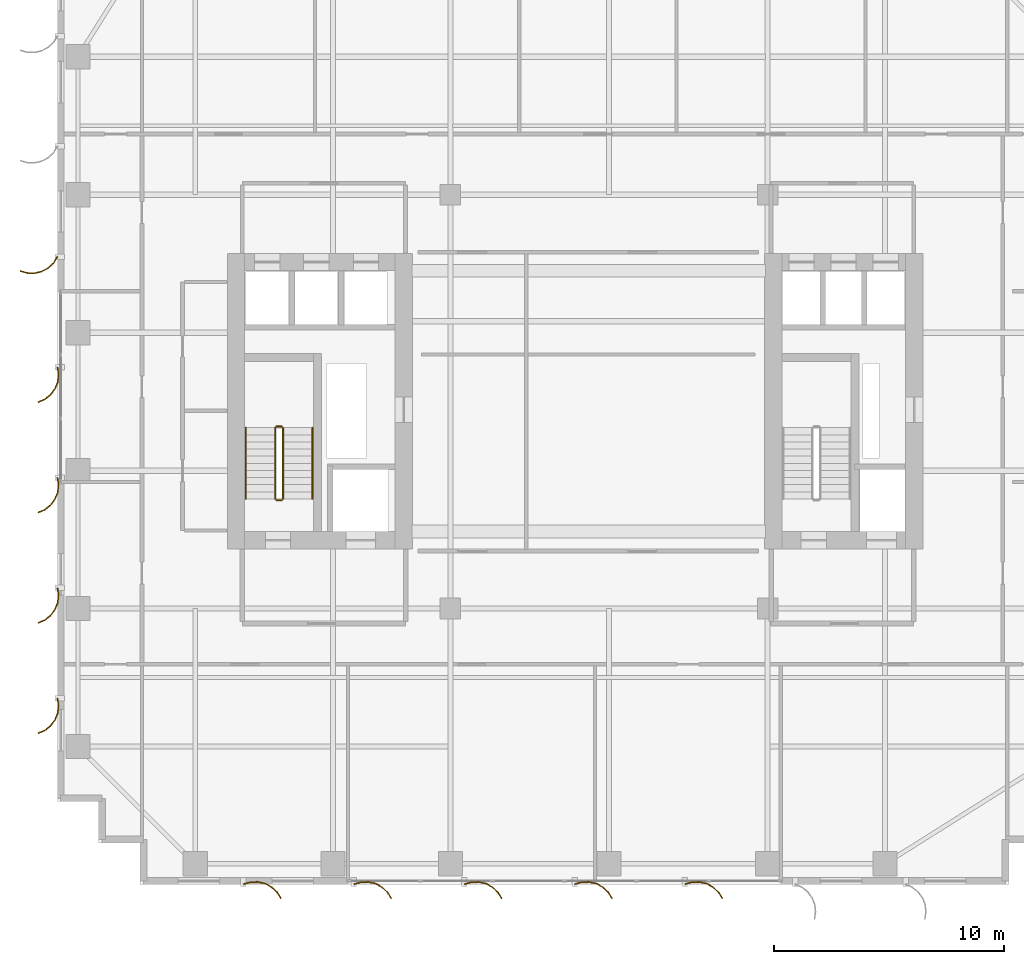
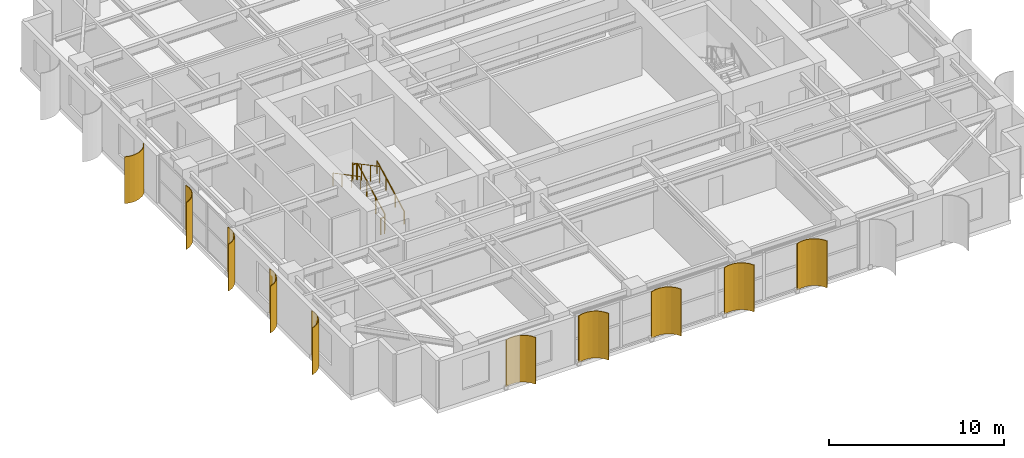
# One storey, part 20 of 22: 10 shading devices, 6 railings.
"""IFC4 building model written with IfcOpenShell, lengths in metres."""

from ifc_helpers import new_model, si_unit, direction, frame, origin, origin_2d, place, context, subcontext, project, spatial, polyline, circle, outline, extrude, source, transform, mapped, material, layer, layer_set, type_object, element, save


model = new_model("IFC4")

# Units and contexts
model_context = context("Model", 3, precision=1e-05, world=origin(), true_north=direction((0.0, 1.0)))
body_context = subcontext(model_context, "Body", "Model", "MODEL_VIEW")
ifc_project = project(units=[si_unit("LENGTHUNIT", "METRE"), si_unit("AREAUNIT", "SQUARE_METRE"), si_unit("VOLUMEUNIT", "CUBIC_METRE"), si_unit("PLANEANGLEUNIT", "RADIAN"), si_unit("MASSUNIT", "GRAM", prefix="KILO")], contexts=[model_context])

# Site, building, storey
site_placement = place(None, origin())
site = spatial("IfcSite", under=ifc_project, at=site_placement, CompositionType="ELEMENT")
building_placement = place(site_placement, origin())
building = spatial("IfcBuilding", under=site, at=building_placement, Name="Khoralis Quay Care Tower", CompositionType="ELEMENT")
storey_placement = place(building_placement, frame((0.0, 0.0, 141.300048828125)))
storey = spatial("IfcBuildingStorey", under=building, at=storey_placement, Name="L37", CompositionType="ELEMENT", Elevation=141.300048828125)

# Railings
ifc_material_1 = material(Name="Brushed stainless steel", Category="steel")
railing_type_1 = type_object("IfcRailingType", Name="RL-GUARD-1150", PredefinedType="GUARDRAIL", material=ifc_material_1)
railing_1_placement = place(storey_placement, frame((9.820068359375, 16.77001953125, 0.16357421875)))
element("IfcRailing", 1, at=railing_1_placement, inside=storey, type_object=railing_type_1, Name="L37 ST-T1 stair guard 1", PredefinedType="GUARDRAIL", context=body_context, shape_type="SweptSolid", body=[
    extrude(circle(Radius=0.02392578125, at=origin_2d()), frame((0.0, 0.0, 1.1259765625), z_axis=(0.0, 0.884348015382, 0.466828220752), x_axis=(-1.0, 0.0, 0.0)), (0.0, 0.0, 1.0), 3.505615234375),
    extrude(circle(Radius=0.02099609375, at=origin_2d()), origin(), (0.0, 0.0, 1.0), 1.101806640625),
    extrude(circle(Radius=0.02099609375, at=origin_2d()), frame((0.0, 1.033447265625, 0.54541015625)), (0.0, 0.0, 1.0), 1.101806640625),
    extrude(circle(Radius=0.02099609375, at=origin_2d()), frame((0.0, 2.066650390625, 1.091064453125)), (0.0, 0.0, 1.0), 1.101806640625),
    extrude(circle(Radius=0.02099609375, at=origin_2d()), frame((0.0, 3.10009765625, 1.636474609375)), (0.0, 0.0, 1.0), 1.101806640625),
])
railing_2_placement = place(storey_placement, frame((9.77001953125, 19.919921875, 1.800048828125)))
element("IfcRailing", 2, at=railing_2_placement, inside=storey, type_object=railing_type_1, Name="L37 ST-T1 stair guard 2", PredefinedType="GUARDRAIL", context=body_context, shape_type="SweptSolid", body=[
    extrude(circle(Radius=0.02392578125, at=origin_2d()), frame((0.0, 0.0, 1.1259765625), z_axis=(-1.0, 0.0, 0.0), x_axis=(0.0, -1.0, 0.0)), (0.0, 0.0, 1.0), 0.239990234375),
    extrude(circle(Radius=0.02099609375, at=origin_2d()), origin(), (0.0, 0.0, 1.0), 1.101806640625),
    extrude(circle(Radius=0.02099609375, at=origin_2d()), frame((-0.239990234375, 0.0, 0.0)), (0.0, 0.0, 1.0), 1.101806640625),
])
railing_3_placement = place(storey_placement, frame((9.47998046875, 19.8701171875, 1.963623046875)))
element("IfcRailing", 3, at=railing_3_placement, inside=storey, type_object=railing_type_1, Name="L37 ST-T1 stair guard 3", PredefinedType="GUARDRAIL", context=body_context, shape_type="SweptSolid", body=[
    extrude(circle(Radius=0.02392578125, at=origin_2d()), frame((0.0, 0.0, 1.1259765625), z_axis=(0.0, -0.884376766648, 0.46677375099), x_axis=(1.0, 0.0, 0.0)), (0.0, 0.0, 1.0), 3.50537109375),
    extrude(circle(Radius=0.02099609375, at=origin_2d()), origin(), (0.0, 0.0, 1.0), 1.101806640625),
    extrude(circle(Radius=0.02099609375, at=origin_2d()), frame((0.0, -1.033447265625, 0.54541015625)), (0.0, 0.0, 1.0), 1.101806640625),
    extrude(circle(Radius=0.02099609375, at=origin_2d()), frame((0.0, -2.066650390625, 1.0908203125)), (0.0, 0.0, 1.0), 1.101806640625),
    extrude(circle(Radius=0.02099609375, at=origin_2d()), frame((0.0, -3.10009765625, 1.63623046875)), (0.0, 0.0, 1.0), 1.101806640625),
])
railing_4_placement = place(storey_placement, frame((9.77001953125, 16.719970703125, 0.0)))
element("IfcRailing", 4, at=railing_4_placement, inside=storey, type_object=railing_type_1, Name="L37 ST-T1 stair guard 4", PredefinedType="GUARDRAIL", context=body_context, shape_type="SweptSolid", body=[
    extrude(circle(Radius=0.02392578125, at=origin_2d()), frame((0.0, 0.0, 1.1259765625), z_axis=(-1.0, 0.0, 0.0), x_axis=(0.0, -1.0, 0.0)), (0.0, 0.0, 1.0), 0.239990234375),
    extrude(circle(Radius=0.02099609375, at=origin_2d()), origin(), (0.0, 0.0, 1.0), 1.101806640625),
    extrude(circle(Radius=0.02099609375, at=origin_2d()), frame((-0.239990234375, 0.0, 0.0)), (0.0, 0.0, 1.0), 1.101806640625),
])
railing_type_2 = type_object("IfcRailingType", Name="RL-HAND-900", PredefinedType="HANDRAIL", material=ifc_material_1)
railing_5_placement = place(storey_placement, frame((11.10009765625, 16.77001953125, 0.16357421875)))
element("IfcRailing", 5, at=railing_5_placement, inside=storey, type_object=railing_type_2, Name="L37 ST-T1 stair handrail 1", PredefinedType="HANDRAIL", context=body_context, shape_type="SweptSolid", body=[
    extrude(circle(Radius=0.02392578125, at=origin_2d()), frame((0.0, 0.0, 0.8759765625), z_axis=(0.0, 0.884348015382, 0.466828220752), x_axis=(-1.0, 0.0, 0.0)), (0.0, 0.0, 1.0), 3.505615234375),
    extrude(circle(Radius=0.02099609375, at=origin_2d()), origin(), (0.0, 0.0, 1.0), 0.851806640625),
    extrude(circle(Radius=0.02099609375, at=origin_2d()), frame((0.0, 1.033447265625, 0.54541015625)), (0.0, 0.0, 1.0), 0.851806640625),
    extrude(circle(Radius=0.02099609375, at=origin_2d()), frame((0.0, 2.066650390625, 1.091064453125)), (0.0, 0.0, 1.0), 0.851806640625),
    extrude(circle(Radius=0.02099609375, at=origin_2d()), frame((0.0, 3.10009765625, 1.636474609375)), (0.0, 0.0, 1.0), 0.851806640625),
])
railing_6_placement = place(storey_placement, frame((8.199951171875, 19.8701171875, 1.963623046875)))
element("IfcRailing", 6, at=railing_6_placement, inside=storey, type_object=railing_type_2, Name="L37 ST-T1 stair handrail 2", PredefinedType="HANDRAIL", context=body_context, shape_type="SweptSolid", body=[
    extrude(circle(Radius=0.02392578125, at=origin_2d()), frame((0.0, 0.0, 0.8759765625), z_axis=(0.0, -0.884376766648, 0.46677375099), x_axis=(1.0, 0.0, 0.0)), (0.0, 0.0, 1.0), 3.50537109375),
    extrude(circle(Radius=0.02099609375, at=origin_2d()), origin(), (0.0, 0.0, 1.0), 0.851806640625),
    extrude(circle(Radius=0.02099609375, at=origin_2d()), frame((0.0, -1.033447265625, 0.54541015625)), (0.0, 0.0, 1.0), 0.851806640625),
    extrude(circle(Radius=0.02099609375, at=origin_2d()), frame((0.0, -2.066650390625, 1.0908203125)), (0.0, 0.0, 1.0), 0.851806640625),
    extrude(circle(Radius=0.02099609375, at=origin_2d()), frame((0.0, -3.10009765625, 1.63623046875)), (0.0, 0.0, 1.0), 0.851806640625),
])

# Shading devices
ifc_material_2 = material(Name="Brushed pale anodised aluminium", Category="aluminium")
ifc_layer = layer(ifc_material_2, 0.044921875)
ifc_layer_set = layer_set([ifc_layer], Name="Brushed pale anodised aluminium")
shading_device_type = type_object("IfcShadingDeviceType", Name="SHD-FIN-1250", PredefinedType="USERDEFINED", material=ifc_layer_set)
shared_shape_1 = source(origin(), body_context, "Body", "SweptSolid", [
    extrude(outline(polyline([(0.0, 0.0), (0.17041015625, 0.2783203125), (0.4072265625, 0.5029296875), (0.694091796875, 0.658447265625), (1.01123046875, 0.734619140625), (1.33740234375, 0.72607421875), (1.650390625, 0.633544921875), (1.632080078125, 0.59228515625), (1.330322265625, 0.681640625), (1.015869140625, 0.68994140625), (0.710205078125, 0.616455078125), (0.43359375, 0.466552734375), (0.20556640625, 0.25), (0.041015625, -0.018310546875), (0.0, 0.0)])), origin(), (0.0, 0.0, 1.0), 3.260009765625),
])
shading_device_placement = place(storey_placement, frame((0.030029296875, 27.300048828125, 0.02001953125), z_axis=(0.0, 0.0, 1.0), x_axis=(-1.0, 0.0, 0.0)))
element("IfcShadingDevice", 7, at=shading_device_placement, inside=storey, type_object=shading_device_type, Name="L37 Curved Solar Fin P1E15-03", ObjectType="FIN", PredefinedType="USERDEFINED", context=body_context, shape_type="MappedRepresentation", body=[
    mapped(shared_shape_1, transform((0.0, 0.0, 0.0), scale=1.0)),
])
shared_shape_2 = source(origin(), body_context, "Body", "SweptSolid", [
    extrude(outline(polyline([(0.0, 0.0), (-0.04833984375, 0.32275390625), (-0.01123046875, 0.64697265625), (0.1083984375, 0.950439453125), (0.302490234375, 1.212890625), (0.557861328125, 1.416015625), (0.85693359375, 1.546142578125), (0.869384765625, 1.5029296875), (0.5810546875, 1.37744140625), (0.334716796875, 1.181640625), (0.147705078125, 0.9287109375), (0.032470703125, 0.635986328125), (-0.003173828125, 0.323486328125), (0.043212890625, 0.012451171875), (0.0, 0.0)])), origin(), (0.0, 0.0, 1.0), 3.260009765625),
])
for number, where, z_axis, x_axis, name in (
    (8, (0.030029296875, 22.5, 0.02001953125), (0.0, 0.0, 1.0), (-1.0, 0.0, 0.0), "L37 Curved Solar Fin P1E15-04"),
    (9, (0.030029296875, 17.699951171875, 0.02001953125), (0.0, 0.0, 1.0), (-1.0, 0.0, 0.0), "L37 Curved Solar Fin P1E15-05"),
    (10, (0.030029296875, 12.89990234375, 0.02001953125), (0.0, 0.0, 1.0), (-1.0, 0.0, 0.0), "L37 Curved Solar Fin P1E15-06"),
    (11, (0.030029296875, 8.10009765625, 0.02001953125), (0.0, 0.0, 1.0), (-1.0, 0.0, 0.0), "L37 Curved Solar Fin P1E15-07"),
):
    element("IfcShadingDevice", number, at=place(storey_placement, frame(where, z_axis=z_axis, x_axis=x_axis)), inside=storey, type_object=shading_device_type, Name=name, ObjectType="FIN", PredefinedType="USERDEFINED", context=body_context, shape_type="MappedRepresentation", body=[
        mapped(shared_shape_2, transform((0.0, 0.0, 0.0), scale=1.0)),
    ])
shared_shape_3 = source(origin(), body_context, "Body", "SweptSolid", [
    extrude(outline(polyline([(0.0, 0.0), (-0.0927734375, 0.31298828125), (-0.101318359375, 0.63916015625), (-0.025146484375, 0.956298828125), (0.130615234375, 1.2431640625), (0.355224609375, 1.479736328125), (0.633544921875, 1.650390625), (0.65185546875, 1.609130859375), (0.383544921875, 1.44482421875), (0.1669921875, 1.216796875), (0.01708984375, 0.940185546875), (-0.056396484375, 0.63427734375), (-0.04833984375, 0.31982421875), (0.041015625, 0.018310546875), (0.0, 0.0)])), origin(), (0.0, 0.0, 1.0), 3.260009765625),
])
for number, where, z_axis, x_axis, name in (
    (12, (8.10009765625, 0.030029296875, 0.02001953125), (0.0, 0.0, 1.0), (0.0, -1.0, 0.0), "L37 Curved Solar Fin P1E0-01"),
    (13, (12.89990234375, 0.030029296875, 0.02001953125), (0.0, 0.0, 1.0), (0.0, -1.0, 0.0), "L37 Curved Solar Fin P1E0-02"),
    (14, (17.699951171875, 0.030029296875, 0.02001953125), (0.0, 0.0, 1.0), (0.0, -1.0, 0.0), "L37 Curved Solar Fin P1E0-03"),
    (15, (22.5, 0.030029296875, 0.02001953125), (0.0, 0.0, 1.0), (0.0, -1.0, 0.0), "L37 Curved Solar Fin P1E0-04"),
    (16, (27.300048828125, 0.030029296875, 0.02001953125), (0.0, 0.0, 1.0), (0.0, -1.0, 0.0), "L37 Curved Solar Fin P1E0-05"),
):
    element("IfcShadingDevice", number, at=place(storey_placement, frame(where, z_axis=z_axis, x_axis=x_axis)), inside=storey, type_object=shading_device_type, Name=name, ObjectType="FIN", PredefinedType="USERDEFINED", context=body_context, shape_type="MappedRepresentation", body=[
        mapped(shared_shape_3, transform((0.0, 0.0, 0.0), scale=1.0)),
    ])

save(model, "model.ifc")
